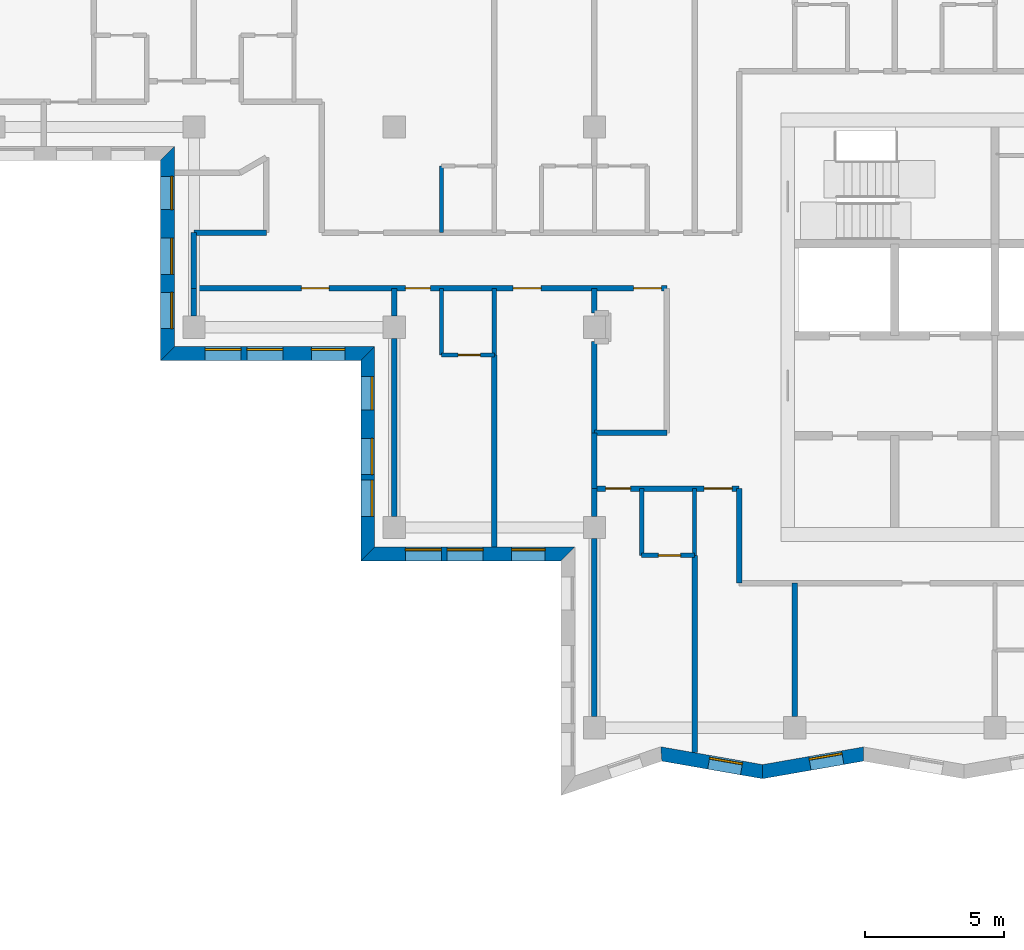
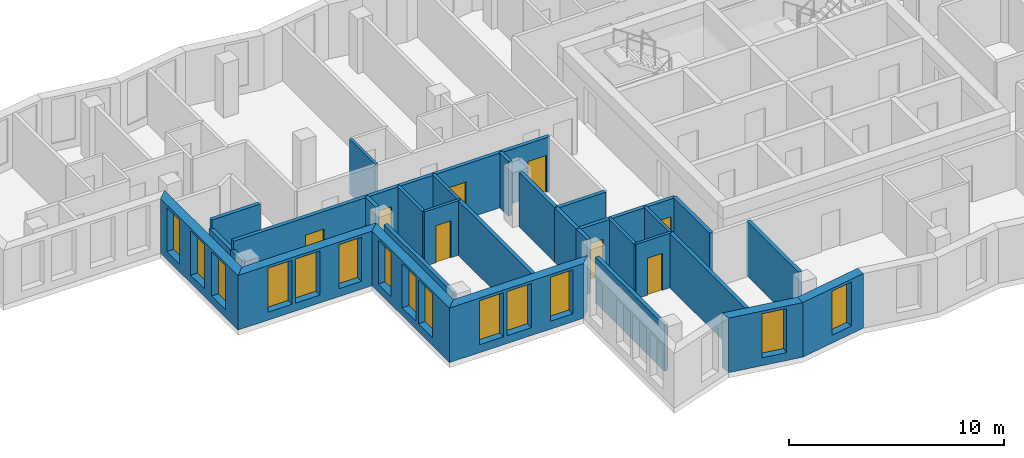
# One storey, part 2 of 12: 30 walls, 14 windows, 8 doors, 22 openings.
"""IFC4 building model written with IfcOpenShell, lengths in metres."""

from ifc_helpers import new_model, si_unit, direction, frame, frame_2d, origin, place, context, subcontext, project, spatial, polyline, rectangle, outline, extrude, material, layer, layer_set, type_object, element, fill, save


model = new_model("IFC4")

# Units and contexts
model_context = context("Model", 3, precision=1e-05, world=origin(), true_north=direction((0.0, 1.0)))
body_context = subcontext(model_context, "Body", "Model", "MODEL_VIEW")
ifc_project = project(units=[si_unit("LENGTHUNIT", "METRE"), si_unit("AREAUNIT", "SQUARE_METRE"), si_unit("VOLUMEUNIT", "CUBIC_METRE"), si_unit("PLANEANGLEUNIT", "RADIAN"), si_unit("MASSUNIT", "GRAM", prefix="KILO")], contexts=[model_context])

# Site, building, storey
site_placement = place(None, origin())
site = spatial("IfcSite", under=ifc_project, at=site_placement, CompositionType="ELEMENT")
building_placement = place(site_placement, origin())
building = spatial("IfcBuilding", under=site, at=building_placement, Name="Windrow Commons", CompositionType="ELEMENT")
storey_placement = place(building_placement, frame((0.0, 0.0, 227.0)))
storey = spatial("IfcBuildingStorey", under=building, at=storey_placement, Name="L62", CompositionType="ELEMENT", Elevation=227.0)

# Wall, openings, windows
ifc_material_1 = material(Name="Brick masonry, red clay brick", Category="masonry")
ifc_layer_1 = layer(ifc_material_1, 0.5)
ifc_layer_set_1 = layer_set([ifc_layer_1], Name="Brick facade wall 500")
wall_type_1 = type_object("IfcWallType", Name="Brick facade wall 500", PredefinedType="SOLIDWALL", material=ifc_layer_set_1)
wall_1_placement = place(storey_placement, frame((35.05, 63.85, 0.0), z_axis=(0.0, 0.0, 1.0), x_axis=(0.0, -1.0, 0.0)))
wall_1 = element("IfcWall", 1, at=wall_1_placement, inside=storey, type_object=wall_type_1, Name="Brick facade wall L62 33", PredefinedType="SOLIDWALL", context=body_context, shape_type="SweptSolid", body=[
    extrude(outline(polyline([(0.25, -0.25), (7.45, -0.25), (6.95, 0.25), (-0.25, 0.25), (0.25, -0.25)])), origin(), (0.0, 0.0, 1.0), 3.1),
])
opening_1_placement = place(wall_1_placement, frame((3.05, 0.0, 0.45)))
opening_1 = element("IfcOpeningElement", 2, at=opening_1_placement, cuts=wall_1, Name="Opening W1Q", PredefinedType="OPENING", context=body_context, shape_type="SweptSolid", body=[
    extrude(rectangle(XDim=1.3, YDim=2.5, at=frame_2d((0.65, 1.25))), frame((0.0, 0.26, 0.0), z_axis=(0.0, -1.0, 0.0), x_axis=(1.0, 0.0, 0.0)), (0.0, 0.0, 1.0), 0.52),
])
opening_2_placement = place(wall_1_placement, frame((5.0, 0.0, 0.45)))
opening_2 = element("IfcOpeningElement", 3, at=opening_2_placement, cuts=wall_1, Name="Opening W1Q", PredefinedType="OPENING", context=body_context, shape_type="SweptSolid", body=[
    extrude(rectangle(XDim=1.3, YDim=2.5, at=frame_2d((0.65, 1.25))), frame((0.0, 0.26, 0.0), z_axis=(0.0, -1.0, 0.0), x_axis=(1.0, 0.0, 0.0)), (0.0, 0.0, 1.0), 0.52),
])
opening_3_placement = place(wall_1_placement, frame((0.825, 0.0, 0.45)))
opening_3 = element("IfcOpeningElement", 4, at=opening_3_placement, cuts=wall_1, Name="Opening W7E", PredefinedType="OPENING", context=body_context, shape_type="SweptSolid", body=[
    extrude(rectangle(XDim=1.2, YDim=2.5, at=frame_2d((0.6, 1.25))), frame((0.0, 0.26, 0.0), z_axis=(0.0, -1.0, 0.0), x_axis=(1.0, 0.0, 0.0)), (0.0, 0.0, 1.0), 0.52),
])
ifc_material_2 = material(Name="Clear float glass in anodised aluminium frame", Category="aluminium")
window_type_1 = type_object("IfcWindowType", Name="Window W1Q pair 1300x2500", PartitioningType="SINGLE_PANEL", PredefinedType="WINDOW", material=ifc_material_2)
window_1_placement = place(opening_1_placement, origin())
window_1 = element("IfcWindow", 5, at=window_1_placement, inside=storey, type_object=window_type_1, Name="Window L62 33.1A", OverallHeight=2.5, OverallWidth=1.3, PartitioningType="SINGLE_PANEL", PredefinedType="WINDOW", context=body_context, shape_type="SweptSolid", body=[
    extrude(rectangle(XDim=1.3, YDim=2.5, at=frame_2d((0.65, 1.25))), frame((0.0, 0.18, 0.0), z_axis=(0.0, -1.0, 0.0), x_axis=(1.0, 0.0, 0.0)), (0.0, 0.0, 1.0), 0.06),
])
fill(opening_1, window_1)
window_2_placement = place(opening_2_placement, origin())
window_2 = element("IfcWindow", 6, at=window_2_placement, inside=storey, type_object=window_type_1, Name="Window L62 33.1B", OverallHeight=2.5, OverallWidth=1.3, PartitioningType="SINGLE_PANEL", PredefinedType="WINDOW", context=body_context, shape_type="SweptSolid", body=[
    extrude(rectangle(XDim=1.3, YDim=2.5, at=frame_2d((0.65, 1.25))), frame((0.0, 0.18, 0.0), z_axis=(0.0, -1.0, 0.0), x_axis=(1.0, 0.0, 0.0)), (0.0, 0.0, 1.0), 0.06),
])
fill(opening_2, window_2)
ifc_material_3 = material(Name="Clear float glass in anodised aluminium frame", Category="aluminium")
window_type_2 = type_object("IfcWindowType", Name="Window W7 notch 1200x2500", PartitioningType="SINGLE_PANEL", PredefinedType="WINDOW", material=ifc_material_3)
window_3_placement = place(opening_3_placement, origin())
window_3 = element("IfcWindow", 7, at=window_3_placement, inside=storey, type_object=window_type_2, Name="Window L62 33.2", OverallHeight=2.5, OverallWidth=1.2, PartitioningType="SINGLE_PANEL", PredefinedType="WINDOW", context=body_context, shape_type="SweptSolid", body=[
    extrude(rectangle(XDim=1.2, YDim=2.5, at=frame_2d((0.6, 1.25))), frame((0.0, 0.18, 0.0), z_axis=(0.0, -1.0, 0.0), x_axis=(1.0, 0.0, 0.0)), (0.0, 0.0, 1.0), 0.06),
])
fill(opening_3, window_3)

wall_2_placement = place(storey_placement, frame((35.05, 56.65, 0.0), z_axis=(0.0, 0.0, 1.0), x_axis=(1.0, 0.0, 0.0)))
wall_2 = element("IfcWall", 8, at=wall_2_placement, inside=storey, type_object=wall_type_1, Name="Brick facade wall L62 34", PredefinedType="SOLIDWALL", context=body_context, shape_type="SweptSolid", body=[
    extrude(outline(polyline([(-0.25, -0.25), (6.95, -0.25), (7.45, 0.25), (0.25, 0.25), (-0.25, -0.25)])), origin(), (0.0, 0.0, 1.0), 3.1),
])
opening_4_placement = place(wall_2_placement, frame((1.35, 0.0, 0.45)))
opening_4 = element("IfcOpeningElement", 9, at=opening_4_placement, cuts=wall_2, Name="Opening W1Q", PredefinedType="OPENING", context=body_context, shape_type="SweptSolid", body=[
    extrude(rectangle(XDim=1.3, YDim=2.5, at=frame_2d((0.65, 1.25))), frame((0.0, 0.26, 0.0), z_axis=(0.0, -1.0, 0.0), x_axis=(1.0, 0.0, 0.0)), (0.0, 0.0, 1.0), 0.52),
])
opening_5_placement = place(wall_2_placement, frame((2.85, 0.0, 0.45)))
opening_5 = element("IfcOpeningElement", 10, at=opening_5_placement, cuts=wall_2, Name="Opening W1Q", PredefinedType="OPENING", context=body_context, shape_type="SweptSolid", body=[
    extrude(rectangle(XDim=1.3, YDim=2.5, at=frame_2d((0.65, 1.25))), frame((0.0, 0.26, 0.0), z_axis=(0.0, -1.0, 0.0), x_axis=(1.0, 0.0, 0.0)), (0.0, 0.0, 1.0), 0.52),
])
opening_6_placement = place(wall_2_placement, frame((5.175, 0.0, 0.45)))
opening_6 = element("IfcOpeningElement", 11, at=opening_6_placement, cuts=wall_2, Name="Opening W7E", PredefinedType="OPENING", context=body_context, shape_type="SweptSolid", body=[
    extrude(rectangle(XDim=1.2, YDim=2.5, at=frame_2d((0.6, 1.25))), frame((0.0, 0.26, 0.0), z_axis=(0.0, -1.0, 0.0), x_axis=(1.0, 0.0, 0.0)), (0.0, 0.0, 1.0), 0.52),
])
window_4_placement = place(opening_4_placement, origin())
window_4 = element("IfcWindow", 12, at=window_4_placement, inside=storey, type_object=window_type_1, Name="Window L62 34.1A", OverallHeight=2.5, OverallWidth=1.3, PartitioningType="SINGLE_PANEL", PredefinedType="WINDOW", context=body_context, shape_type="SweptSolid", body=[
    extrude(rectangle(XDim=1.3, YDim=2.5, at=frame_2d((0.65, 1.25))), frame((0.0, 0.18, 0.0), z_axis=(0.0, -1.0, 0.0), x_axis=(1.0, 0.0, 0.0)), (0.0, 0.0, 1.0), 0.06),
])
fill(opening_4, window_4)
window_5_placement = place(opening_5_placement, origin())
window_5 = element("IfcWindow", 13, at=window_5_placement, inside=storey, type_object=window_type_1, Name="Window L62 34.1B", OverallHeight=2.5, OverallWidth=1.3, PartitioningType="SINGLE_PANEL", PredefinedType="WINDOW", context=body_context, shape_type="SweptSolid", body=[
    extrude(rectangle(XDim=1.3, YDim=2.5, at=frame_2d((0.65, 1.25))), frame((0.0, 0.18, 0.0), z_axis=(0.0, -1.0, 0.0), x_axis=(1.0, 0.0, 0.0)), (0.0, 0.0, 1.0), 0.06),
])
fill(opening_5, window_5)
window_6_placement = place(opening_6_placement, origin())
window_6 = element("IfcWindow", 14, at=window_6_placement, inside=storey, type_object=window_type_2, Name="Window L62 34.2", OverallHeight=2.5, OverallWidth=1.2, PartitioningType="SINGLE_PANEL", PredefinedType="WINDOW", context=body_context, shape_type="SweptSolid", body=[
    extrude(rectangle(XDim=1.2, YDim=2.5, at=frame_2d((0.6, 1.25))), frame((0.0, 0.18, 0.0), z_axis=(0.0, -1.0, 0.0), x_axis=(1.0, 0.0, 0.0)), (0.0, 0.0, 1.0), 0.06),
])
fill(opening_6, window_6)

wall_3_placement = place(storey_placement, frame((42.25, 56.65, 0.0), z_axis=(0.0, 0.0, 1.0), x_axis=(0.0, -1.0, 0.0)))
wall_3 = element("IfcWall", 15, at=wall_3_placement, inside=storey, type_object=wall_type_1, Name="Brick facade wall L62 35", PredefinedType="SOLIDWALL", context=body_context, shape_type="SweptSolid", body=[
    extrude(outline(polyline([(0.25, -0.25), (7.45, -0.25), (6.95, 0.25), (-0.25, 0.25), (0.25, -0.25)])), origin(), (0.0, 0.0, 1.0), 3.1),
])
opening_7_placement = place(wall_3_placement, frame((3.05, 0.0, 0.45)))
opening_7 = element("IfcOpeningElement", 16, at=opening_7_placement, cuts=wall_3, Name="Opening W1Q", PredefinedType="OPENING", context=body_context, shape_type="SweptSolid", body=[
    extrude(rectangle(XDim=1.3, YDim=2.5, at=frame_2d((0.65, 1.25))), frame((0.0, 0.26, 0.0), z_axis=(0.0, -1.0, 0.0), x_axis=(1.0, 0.0, 0.0)), (0.0, 0.0, 1.0), 0.52),
])
opening_8_placement = place(wall_3_placement, frame((4.55, 0.0, 0.45)))
opening_8 = element("IfcOpeningElement", 17, at=opening_8_placement, cuts=wall_3, Name="Opening W1Q", PredefinedType="OPENING", context=body_context, shape_type="SweptSolid", body=[
    extrude(rectangle(XDim=1.3, YDim=2.5, at=frame_2d((0.65, 1.25))), frame((0.0, 0.26, 0.0), z_axis=(0.0, -1.0, 0.0), x_axis=(1.0, 0.0, 0.0)), (0.0, 0.0, 1.0), 0.52),
])
opening_9_placement = place(wall_3_placement, frame((0.825, 0.0, 0.45)))
opening_9 = element("IfcOpeningElement", 18, at=opening_9_placement, cuts=wall_3, Name="Opening W7E", PredefinedType="OPENING", context=body_context, shape_type="SweptSolid", body=[
    extrude(rectangle(XDim=1.2, YDim=2.5, at=frame_2d((0.6, 1.25))), frame((0.0, 0.26, 0.0), z_axis=(0.0, -1.0, 0.0), x_axis=(1.0, 0.0, 0.0)), (0.0, 0.0, 1.0), 0.52),
])
window_7_placement = place(opening_7_placement, origin())
window_7 = element("IfcWindow", 19, at=window_7_placement, inside=storey, type_object=window_type_1, Name="Window L62 35.1A", OverallHeight=2.5, OverallWidth=1.3, PartitioningType="SINGLE_PANEL", PredefinedType="WINDOW", context=body_context, shape_type="SweptSolid", body=[
    extrude(rectangle(XDim=1.3, YDim=2.5, at=frame_2d((0.65, 1.25))), frame((0.0, 0.18, 0.0), z_axis=(0.0, -1.0, 0.0), x_axis=(1.0, 0.0, 0.0)), (0.0, 0.0, 1.0), 0.06),
])
fill(opening_7, window_7)
window_8_placement = place(opening_8_placement, origin())
window_8 = element("IfcWindow", 20, at=window_8_placement, inside=storey, type_object=window_type_1, Name="Window L62 35.1B", OverallHeight=2.5, OverallWidth=1.3, PartitioningType="SINGLE_PANEL", PredefinedType="WINDOW", context=body_context, shape_type="SweptSolid", body=[
    extrude(rectangle(XDim=1.3, YDim=2.5, at=frame_2d((0.65, 1.25))), frame((0.0, 0.18, 0.0), z_axis=(0.0, -1.0, 0.0), x_axis=(1.0, 0.0, 0.0)), (0.0, 0.0, 1.0), 0.06),
])
fill(opening_8, window_8)
window_9_placement = place(opening_9_placement, origin())
window_9 = element("IfcWindow", 21, at=window_9_placement, inside=storey, type_object=window_type_2, Name="Window L62 35.2", OverallHeight=2.5, OverallWidth=1.2, PartitioningType="SINGLE_PANEL", PredefinedType="WINDOW", context=body_context, shape_type="SweptSolid", body=[
    extrude(rectangle(XDim=1.2, YDim=2.5, at=frame_2d((0.6, 1.25))), frame((0.0, 0.18, 0.0), z_axis=(0.0, -1.0, 0.0), x_axis=(1.0, 0.0, 0.0)), (0.0, 0.0, 1.0), 0.06),
])
fill(opening_9, window_9)

wall_4_placement = place(storey_placement, frame((42.25, 49.45, 0.0), z_axis=(0.0, 0.0, 1.0), x_axis=(1.0, 0.0, 0.0)))
wall_4 = element("IfcWall", 22, at=wall_4_placement, inside=storey, type_object=wall_type_1, Name="Brick facade wall L62 36", PredefinedType="SOLIDWALL", context=body_context, shape_type="SweptSolid", body=[
    extrude(outline(polyline([(-0.25, -0.25), (6.95, -0.25), (7.45, 0.25), (0.25, 0.25), (-0.25, -0.25)])), origin(), (0.0, 0.0, 1.0), 3.1),
])
opening_10_placement = place(wall_4_placement, frame((1.35, 0.0, 0.45)))
opening_10 = element("IfcOpeningElement", 23, at=opening_10_placement, cuts=wall_4, Name="Opening W1Q", PredefinedType="OPENING", context=body_context, shape_type="SweptSolid", body=[
    extrude(rectangle(XDim=1.3, YDim=2.5, at=frame_2d((0.65, 1.25))), frame((0.0, 0.26, 0.0), z_axis=(0.0, -1.0, 0.0), x_axis=(1.0, 0.0, 0.0)), (0.0, 0.0, 1.0), 0.52),
])
opening_11_placement = place(wall_4_placement, frame((2.85, 0.0, 0.45)))
opening_11 = element("IfcOpeningElement", 24, at=opening_11_placement, cuts=wall_4, Name="Opening W1Q", PredefinedType="OPENING", context=body_context, shape_type="SweptSolid", body=[
    extrude(rectangle(XDim=1.3, YDim=2.5, at=frame_2d((0.65, 1.25))), frame((0.0, 0.26, 0.0), z_axis=(0.0, -1.0, 0.0), x_axis=(1.0, 0.0, 0.0)), (0.0, 0.0, 1.0), 0.52),
])
opening_12_placement = place(wall_4_placement, frame((5.175, 0.0, 0.45)))
opening_12 = element("IfcOpeningElement", 25, at=opening_12_placement, cuts=wall_4, Name="Opening W7E", PredefinedType="OPENING", context=body_context, shape_type="SweptSolid", body=[
    extrude(rectangle(XDim=1.2, YDim=2.5, at=frame_2d((0.6, 1.25))), frame((0.0, 0.26, 0.0), z_axis=(0.0, -1.0, 0.0), x_axis=(1.0, 0.0, 0.0)), (0.0, 0.0, 1.0), 0.52),
])
window_10_placement = place(opening_10_placement, origin())
window_10 = element("IfcWindow", 26, at=window_10_placement, inside=storey, type_object=window_type_1, Name="Window L62 36.1A", OverallHeight=2.5, OverallWidth=1.3, PartitioningType="SINGLE_PANEL", PredefinedType="WINDOW", context=body_context, shape_type="SweptSolid", body=[
    extrude(rectangle(XDim=1.3, YDim=2.5, at=frame_2d((0.65, 1.25))), frame((0.0, 0.18, 0.0), z_axis=(0.0, -1.0, 0.0), x_axis=(1.0, 0.0, 0.0)), (0.0, 0.0, 1.0), 0.06),
])
fill(opening_10, window_10)
window_11_placement = place(opening_11_placement, origin())
window_11 = element("IfcWindow", 27, at=window_11_placement, inside=storey, type_object=window_type_1, Name="Window L62 36.1B", OverallHeight=2.5, OverallWidth=1.3, PartitioningType="SINGLE_PANEL", PredefinedType="WINDOW", context=body_context, shape_type="SweptSolid", body=[
    extrude(rectangle(XDim=1.3, YDim=2.5, at=frame_2d((0.65, 1.25))), frame((0.0, 0.18, 0.0), z_axis=(0.0, -1.0, 0.0), x_axis=(1.0, 0.0, 0.0)), (0.0, 0.0, 1.0), 0.06),
])
fill(opening_11, window_11)
window_12_placement = place(opening_12_placement, origin())
window_12 = element("IfcWindow", 28, at=window_12_placement, inside=storey, type_object=window_type_2, Name="Window L62 36.2", OverallHeight=2.5, OverallWidth=1.2, PartitioningType="SINGLE_PANEL", PredefinedType="WINDOW", context=body_context, shape_type="SweptSolid", body=[
    extrude(rectangle(XDim=1.2, YDim=2.5, at=frame_2d((0.6, 1.25))), frame((0.0, 0.18, 0.0), z_axis=(0.0, -1.0, 0.0), x_axis=(1.0, 0.0, 0.0)), (0.0, 0.0, 1.0), 0.06),
])
fill(opening_12, window_12)

# Wall, opening, window
wall_5_placement = place(storey_placement, frame((52.8036, 42.2573, 0.0), z_axis=(0.0, 0.0, 1.0), x_axis=(0.9850822975, -0.1720838957, 0.0)))
wall_5 = element("IfcWall", 29, at=wall_5_placement, inside=storey, type_object=wall_type_1, Name="Brick facade wall L62 39", PredefinedType="SOLIDWALL", context=body_context, shape_type="SweptSolid", body=[
    extrude(outline(polyline([(0.064, -0.25), (3.7424, -0.25), (3.6551, 0.25), (-0.064, 0.25), (0.064, -0.25)])), origin(), (0.0, 0.0, 1.0), 3.1),
])
opening_13_placement = place(wall_5_placement, frame((1.7348, 0.0, 0.45)))
opening_13 = element("IfcOpeningElement", 30, at=opening_13_placement, cuts=wall_5, Name="Opening W7E", PredefinedType="OPENING", context=body_context, shape_type="SweptSolid", body=[
    extrude(rectangle(XDim=1.2, YDim=2.5, at=frame_2d((0.6, 1.25))), frame((0.0, 0.26, 0.0), z_axis=(0.0, -1.0, 0.0), x_axis=(1.0, 0.0, 0.0)), (0.0, 0.0, 1.0), 0.52),
])
window_13_placement = place(opening_13_placement, origin())
window_13 = element("IfcWindow", 31, at=window_13_placement, inside=storey, type_object=window_type_2, Name="Window L62 39.1", OverallHeight=2.5, OverallWidth=1.2, PartitioningType="SINGLE_PANEL", PredefinedType="WINDOW", context=body_context, shape_type="SweptSolid", body=[
    extrude(rectangle(XDim=1.2, YDim=2.5, at=frame_2d((0.6, 1.25))), frame((0.0, 0.18, 0.0), z_axis=(0.0, -1.0, 0.0), x_axis=(1.0, 0.0, 0.0)), (0.0, 0.0, 1.0), 0.06),
])
fill(opening_13, window_13)

wall_6_placement = place(storey_placement, frame((56.4472, 41.6208, 0.0), z_axis=(0.0, 0.0, 1.0), x_axis=(0.9850825833, 0.1720822594, 0.0)))
wall_6 = element("IfcWall", 32, at=wall_6_placement, inside=storey, type_object=wall_type_1, Name="Brick facade wall L62 40", PredefinedType="SOLIDWALL", context=body_context, shape_type="SweptSolid", body=[
    extrude(outline(polyline([(-0.0437, -0.25), (3.6348, -0.25), (3.7222, 0.25), (0.0437, 0.25), (-0.0437, -0.25)])), origin(), (0.0, 0.0, 1.0), 3.1),
])
opening_14_placement = place(wall_6_placement, frame((1.7244, 0.0, 0.45)))
opening_14 = element("IfcOpeningElement", 33, at=opening_14_placement, cuts=wall_6, Name="Opening W7E", PredefinedType="OPENING", context=body_context, shape_type="SweptSolid", body=[
    extrude(rectangle(XDim=1.2, YDim=2.5, at=frame_2d((0.6, 1.25))), frame((0.0, 0.26, 0.0), z_axis=(0.0, -1.0, 0.0), x_axis=(1.0, 0.0, 0.0)), (0.0, 0.0, 1.0), 0.52),
])
window_14_placement = place(opening_14_placement, origin())
window_14 = element("IfcWindow", 34, at=window_14_placement, inside=storey, type_object=window_type_2, Name="Window L62 40.1", OverallHeight=2.5, OverallWidth=1.2, PartitioningType="SINGLE_PANEL", PredefinedType="WINDOW", context=body_context, shape_type="SweptSolid", body=[
    extrude(rectangle(XDim=1.2, YDim=2.5, at=frame_2d((0.6, 1.25))), frame((0.0, 0.18, 0.0), z_axis=(0.0, -1.0, 0.0), x_axis=(1.0, 0.0, 0.0)), (0.0, 0.0, 1.0), 0.06),
])
fill(opening_14, window_14)

# Wall, openings, doors
ifc_material_4 = material(Name="Blockwork partition", Category="masonry")
ifc_layer_2 = layer(ifc_material_4, 0.2)
ifc_layer_set_2 = layer_set([ifc_layer_2], Name="IW-CORRIDOR-200")
wall_type_2 = type_object("IfcWallType", Name="IW-CORRIDOR-200", PredefinedType="PARTITIONING", material=ifc_layer_set_2)
wall_7_placement = place(storey_placement, frame((36.0, 59.0, 0.0), z_axis=(0.0, 0.0, 1.0), x_axis=(1.0, 0.0, 0.0)))
wall_7 = element("IfcWall", 35, at=wall_7_placement, inside=storey, type_object=wall_type_2, Name="W-L62-W002", PredefinedType="PARTITIONING", context=body_context, shape_type="SweptSolid", body=[
    extrude(rectangle(XDim=17.0, YDim=0.2, at=frame_2d((8.5, 0.0))), origin(), (0.0, 0.0, 1.0), 3.1),
])
opening_15_placement = place(wall_7_placement, frame((3.8625, 0.0, 0.0)))
opening_15 = element("IfcOpeningElement", 36, at=opening_15_placement, cuts=wall_7, Name="Opening D310F", PredefinedType="OPENING", context=body_context, shape_type="SweptSolid", body=[
    extrude(rectangle(XDim=1.0, YDim=2.1, at=frame_2d((0.5, 1.05))), frame((0.0, 0.11, 0.0), z_axis=(0.0, -1.0, 0.0), x_axis=(1.0, 0.0, 0.0)), (0.0, 0.0, 1.0), 0.22),
])
opening_16_placement = place(wall_7_placement, frame((7.6, 0.0, 0.0)))
opening_16 = element("IfcOpeningElement", 37, at=opening_16_placement, cuts=wall_7, Name="Opening D109S", PredefinedType="OPENING", context=body_context, shape_type="SweptSolid", body=[
    extrude(rectangle(XDim=0.9, YDim=2.1, at=frame_2d((0.45, 1.05))), frame((0.0, 0.11, 0.0), z_axis=(0.0, -1.0, 0.0), x_axis=(1.0, 0.0, 0.0)), (0.0, 0.0, 1.0), 0.22),
])
opening_17_placement = place(wall_7_placement, frame((11.48, 0.0, 0.0)))
opening_17 = element("IfcOpeningElement", 38, at=opening_17_placement, cuts=wall_7, Name="Opening D310F", PredefinedType="OPENING", context=body_context, shape_type="SweptSolid", body=[
    extrude(rectangle(XDim=1.0, YDim=2.1, at=frame_2d((0.5, 1.05))), frame((0.0, 0.11, 0.0), z_axis=(0.0, -1.0, 0.0), x_axis=(1.0, 0.0, 0.0)), (0.0, 0.0, 1.0), 0.22),
])
opening_18_placement = place(wall_7_placement, frame((15.805, 0.0, 0.0)))
opening_18 = element("IfcOpeningElement", 39, at=opening_18_placement, cuts=wall_7, Name="Opening D410F", PredefinedType="OPENING", context=body_context, shape_type="SweptSolid", body=[
    extrude(rectangle(XDim=1.0, YDim=2.1, at=frame_2d((0.5, 1.05))), frame((0.0, 0.11, 0.0), z_axis=(0.0, -1.0, 0.0), x_axis=(1.0, 0.0, 0.0)), (0.0, 0.0, 1.0), 0.22),
])
ifc_material_5 = material(Name="Timber door leaf", Category="wood")
door_type_1 = type_object("IfcDoorType", Name="DT-AMENITY-1000", OperationType="SINGLE_SWING_LEFT", PredefinedType="DOOR", material=ifc_material_5)
door_1_placement = place(opening_15_placement, origin())
door_1 = element("IfcDoor", 40, at=door_1_placement, inside=storey, type_object=door_type_1, Name="D-L62-D001", OperationType="SINGLE_SWING_LEFT", OverallHeight=2.1, OverallWidth=1.0, PredefinedType="DOOR", context=body_context, shape_type="SweptSolid", body=[
    extrude(rectangle(XDim=1.0, YDim=2.1, at=frame_2d((0.5, 1.05))), frame((0.0, 0.025, 0.0), z_axis=(0.0, -1.0, 0.0), x_axis=(1.0, 0.0, 0.0)), (0.0, 0.0, 1.0), 0.05),
])
fill(opening_15, door_1)
door_2_placement = place(opening_17_placement, origin())
door_2 = element("IfcDoor", 41, at=door_2_placement, inside=storey, type_object=door_type_1, Name="D-L62-D004", OperationType="SINGLE_SWING_RIGHT", OverallHeight=2.1, OverallWidth=1.0, PredefinedType="DOOR", context=body_context, shape_type="SweptSolid", body=[
    extrude(rectangle(XDim=1.0, YDim=2.1, at=frame_2d((0.5, 1.05))), frame((0.0, 0.025, 0.0), z_axis=(0.0, -1.0, 0.0), x_axis=(1.0, 0.0, 0.0)), (0.0, 0.0, 1.0), 0.05),
])
fill(opening_17, door_2)
ifc_material_6 = material(Name="Timber door leaf", Category="wood")
door_type_2 = type_object("IfcDoorType", Name="DT-BEDROOM-900", OperationType="SINGLE_SWING_LEFT", PredefinedType="DOOR", material=ifc_material_6)
door_3_placement = place(opening_16_placement, origin())
door_3 = element("IfcDoor", 42, at=door_3_placement, inside=storey, type_object=door_type_2, Name="D-L62-D002", OperationType="SINGLE_SWING_LEFT", OverallHeight=2.1, OverallWidth=0.9, PredefinedType="DOOR", context=body_context, shape_type="SweptSolid", body=[
    extrude(rectangle(XDim=0.9, YDim=2.1, at=frame_2d((0.45, 1.05))), frame((0.0, 0.025, 0.0), z_axis=(0.0, -1.0, 0.0), x_axis=(1.0, 0.0, 0.0)), (0.0, 0.0, 1.0), 0.05),
])
fill(opening_16, door_3)
ifc_material_7 = material(Name="Timber door leaf", Category="wood")
door_type_3 = type_object("IfcDoorType", Name="DT-SERVICE-1000", OperationType="SINGLE_SWING_LEFT", PredefinedType="DOOR", material=ifc_material_7)
door_4_placement = place(opening_18_placement, origin())
door_4 = element("IfcDoor", 43, at=door_4_placement, inside=storey, type_object=door_type_3, Name="D-L62-D005", OperationType="SINGLE_SWING_LEFT", OverallHeight=2.1, OverallWidth=1.0, PredefinedType="DOOR", context=body_context, shape_type="SweptSolid", body=[
    extrude(rectangle(XDim=1.0, YDim=2.1, at=frame_2d((0.5, 1.05))), frame((0.0, 0.025, 0.0), z_axis=(0.0, -1.0, 0.0), x_axis=(1.0, 0.0, 0.0)), (0.0, 0.0, 1.0), 0.05),
])
fill(opening_18, door_4)

wall_8_placement = place(storey_placement, frame((50.4, 51.8, 0.0), z_axis=(0.0, 0.0, 1.0), x_axis=(1.0, 0.0, 0.0)))
wall_8 = element("IfcWall", 44, at=wall_8_placement, inside=storey, type_object=wall_type_2, Name="W-L62-W026", PredefinedType="PARTITIONING", context=body_context, shape_type="SweptSolid", body=[
    extrude(rectangle(XDim=5.2, YDim=0.2, at=frame_2d((2.6, 0.0))), origin(), (0.0, 0.0, 1.0), 3.1),
])
opening_19_placement = place(wall_8_placement, frame((0.4, 0.0, 0.0)))
opening_19 = element("IfcOpeningElement", 45, at=opening_19_placement, cuts=wall_8, Name="Opening D109S", PredefinedType="OPENING", context=body_context, shape_type="SweptSolid", body=[
    extrude(rectangle(XDim=0.9, YDim=2.1, at=frame_2d((0.45, 1.05))), frame((0.0, 0.11, 0.0), z_axis=(0.0, -1.0, 0.0), x_axis=(1.0, 0.0, 0.0)), (0.0, 0.0, 1.0), 0.22),
])
opening_20_placement = place(wall_8_placement, frame((3.9455, 0.0, 0.0)))
opening_20 = element("IfcOpeningElement", 46, at=opening_20_placement, cuts=wall_8, Name="Opening D310F", PredefinedType="OPENING", context=body_context, shape_type="SweptSolid", body=[
    extrude(rectangle(XDim=1.0, YDim=2.1, at=frame_2d((0.5, 1.05))), frame((0.0, 0.11, 0.0), z_axis=(0.0, -1.0, 0.0), x_axis=(1.0, 0.0, 0.0)), (0.0, 0.0, 1.0), 0.22),
])
door_5_placement = place(opening_20_placement, origin())
door_5 = element("IfcDoor", 47, at=door_5_placement, inside=storey, type_object=door_type_1, Name="D-L62-D009", OperationType="SINGLE_SWING_RIGHT", OverallHeight=2.1, OverallWidth=1.0, PredefinedType="DOOR", context=body_context, shape_type="SweptSolid", body=[
    extrude(rectangle(XDim=1.0, YDim=2.1, at=frame_2d((0.5, 1.05))), frame((0.0, 0.025, 0.0), z_axis=(0.0, -1.0, 0.0), x_axis=(1.0, 0.0, 0.0)), (0.0, 0.0, 1.0), 0.05),
])
fill(opening_20, door_5)
door_6_placement = place(opening_19_placement, origin())
door_6 = element("IfcDoor", 48, at=door_6_placement, inside=storey, type_object=door_type_2, Name="D-L62-D007", OperationType="SINGLE_SWING_LEFT", OverallHeight=2.1, OverallWidth=0.9, PredefinedType="DOOR", context=body_context, shape_type="SweptSolid", body=[
    extrude(rectangle(XDim=0.9, YDim=2.1, at=frame_2d((0.45, 1.05))), frame((0.0, 0.025, 0.0), z_axis=(0.0, -1.0, 0.0), x_axis=(1.0, 0.0, 0.0)), (0.0, 0.0, 1.0), 0.05),
])
fill(opening_19, door_6)

# Walls
wall_9_placement = place(storey_placement, frame((55.6, 48.4, 0.0), z_axis=(0.0, 0.0, 1.0), x_axis=(0.0, 1.0, 0.0)))
element("IfcWall", 49, at=wall_9_placement, inside=storey, type_object=wall_type_2, Name="W-L62-W042", PredefinedType="PARTITIONING", context=body_context, shape_type="SweptSolid", body=[
    extrude(rectangle(XDim=3.4, YDim=0.2, at=frame_2d((1.7, 0.0))), origin(), (0.0, 0.0, 1.0), 3.1),
])
wall_10_placement = place(storey_placement, frame((50.4, 53.8, 0.0), z_axis=(0.0, 0.0, 1.0), x_axis=(1.0, 0.0, 0.0)))
element("IfcWall", 50, at=wall_10_placement, inside=storey, type_object=wall_type_2, Name="W-L62-W057", PredefinedType="PARTITIONING", context=body_context, shape_type="SweptSolid", body=[
    extrude(rectangle(XDim=2.6, YDim=0.2, at=frame_2d((1.3, 0.0))), origin(), (0.0, 0.0, 1.0), 3.1),
])
wall_11_placement = place(storey_placement, frame((36.002, 61.0, 0.0), z_axis=(0.0, 0.0, 1.0), x_axis=(1.0, 0.0, 0.0)))
element("IfcWall", 51, at=wall_11_placement, inside=storey, type_object=wall_type_2, Name="W-L62-W058", PredefinedType="PARTITIONING", context=body_context, shape_type="SweptSolid", body=[
    extrude(rectangle(XDim=2.598, YDim=0.2, at=frame_2d((1.299, 0.0))), origin(), (0.0, 0.0, 1.0), 3.1),
])
wall_12_placement = place(storey_placement, frame((36.0, 59.0, 0.0), z_axis=(0.0, 0.0, 1.0), x_axis=(0.0, 1.0, 0.0)))
element("IfcWall", 52, at=wall_12_placement, inside=storey, type_object=wall_type_2, Name="W-L62-W095", PredefinedType="PARTITIONING", context=body_context, shape_type="SweptSolid", body=[
    extrude(rectangle(XDim=2.0, YDim=0.2, at=frame_2d((1.0, 0.0))), origin(), (0.0, 0.0, 1.0), 2.6),
])
wall_13_placement = place(storey_placement, frame((50.4, 51.8, 0.0), z_axis=(0.0, 0.0, 1.0), x_axis=(0.0, 1.0, 0.0)))
element("IfcWall", 53, at=wall_13_placement, inside=storey, type_object=wall_type_2, Name="W-L62-W096", PredefinedType="PARTITIONING", context=body_context, shape_type="SweptSolid", body=[
    extrude(rectangle(XDim=2.0, YDim=0.2, at=frame_2d((1.0, 0.0))), origin(), (0.0, 0.0, 1.0), 3.1),
])
ifc_material_8 = material(Name="Blockwork partition", Category="masonry")
ifc_layer_3 = layer(ifc_material_8, 0.15)
ifc_layer_set_3 = layer_set([ifc_layer_3], Name="IW-ENSUITE-150")
wall_type_3 = type_object("IfcWallType", Name="IW-ENSUITE-150", PredefinedType="PARTITIONING", material=ifc_layer_set_3)
for number, where, z_axis, x_axis, name in (
    (54, (44.9, 56.6, 0.0), (0.0, 0.0, 1.0), (0.0, 1.0, 0.0), "W-L62-W068"),
    (55, (44.9, 61.0, 0.0), (0.0, 0.0, 1.0), (0.0, 1.0, 0.0), "W-L62-W069"),
    (56, (46.8, 56.6, 0.0), (0.0, 0.0, 1.0), (0.0, 1.0, 0.0), "W-L62-W070"),
    (57, (52.1, 49.4, 0.0), (0.0, 0.0, 1.0), (0.0, 1.0, 0.0), "W-L62-W075"),
    (58, (54.0, 49.4, 0.0), (0.0, 0.0, 1.0), (0.0, 1.0, 0.0), "W-L62-W076"),
):
    element("IfcWall", number, at=place(storey_placement, frame(where, z_axis=z_axis, x_axis=x_axis)), inside=storey, type_object=wall_type_3, Name=name, PredefinedType="PARTITIONING", context=body_context, shape_type="SweptSolid", body=[
        extrude(rectangle(XDim=2.4, YDim=0.15, at=frame_2d((1.2, 0.0))), origin(), (0.0, 0.0, 1.0), 3.1),
    ])

# Wall, opening, door
wall_14_placement = place(storey_placement, frame((44.9, 56.6, 0.0), z_axis=(0.0, 0.0, 1.0), x_axis=(1.0, 0.0, 0.0)))
wall_14 = element("IfcWall", 59, at=wall_14_placement, inside=storey, type_object=wall_type_3, Name="W-L62-W100", PredefinedType="PARTITIONING", context=body_context, shape_type="SweptSolid", body=[
    extrude(rectangle(XDim=1.9, YDim=0.15, at=frame_2d((0.95, 0.0))), origin(), (0.0, 0.0, 1.0), 3.1),
])
opening_21_placement = place(wall_14_placement, frame((0.5979, 0.0, 0.0)))
opening_21 = element("IfcOpeningElement", 60, at=opening_21_placement, cuts=wall_14, Name="Opening D208N", PredefinedType="OPENING", context=body_context, shape_type="SweptSolid", body=[
    extrude(rectangle(XDim=0.8, YDim=2.1, at=frame_2d((0.4, 1.05))), frame((0.0, 0.085, 0.0), z_axis=(0.0, -1.0, 0.0), x_axis=(1.0, 0.0, 0.0)), (0.0, 0.0, 1.0), 0.17),
])
ifc_material_9 = material(Name="Timber door leaf", Category="wood")
door_type_4 = type_object("IfcDoorType", Name="DT-ENSUITE-800", OperationType="SINGLE_SWING_LEFT", PredefinedType="DOOR", material=ifc_material_9)
door_7_placement = place(opening_21_placement, origin())
door_7 = element("IfcDoor", 61, at=door_7_placement, inside=storey, type_object=door_type_4, Name="D-L62-D003", OperationType="SINGLE_SWING_RIGHT", OverallHeight=2.1, OverallWidth=0.8, PredefinedType="DOOR", context=body_context, shape_type="SweptSolid", body=[
    extrude(rectangle(XDim=0.8, YDim=2.1, at=frame_2d((0.4, 1.05))), frame((0.0, 0.025, 0.0), z_axis=(0.0, -1.0, 0.0), x_axis=(1.0, 0.0, 0.0)), (0.0, 0.0, 1.0), 0.05),
])
fill(opening_21, door_7)

wall_15_placement = place(storey_placement, frame((52.1, 49.4, 0.0), z_axis=(0.0, 0.0, 1.0), x_axis=(1.0, 0.0, 0.0)))
wall_15 = element("IfcWall", 62, at=wall_15_placement, inside=storey, type_object=wall_type_3, Name="W-L62-W102", PredefinedType="PARTITIONING", context=body_context, shape_type="SweptSolid", body=[
    extrude(rectangle(XDim=1.9, YDim=0.15, at=frame_2d((0.95, 0.0))), origin(), (0.0, 0.0, 1.0), 3.1),
])
opening_22_placement = place(wall_15_placement, frame((0.5979, 0.0, 0.0)))
opening_22 = element("IfcOpeningElement", 63, at=opening_22_placement, cuts=wall_15, Name="Opening D208N", PredefinedType="OPENING", context=body_context, shape_type="SweptSolid", body=[
    extrude(rectangle(XDim=0.8, YDim=2.1, at=frame_2d((0.4, 1.05))), frame((0.0, 0.085, 0.0), z_axis=(0.0, -1.0, 0.0), x_axis=(1.0, 0.0, 0.0)), (0.0, 0.0, 1.0), 0.17),
])
door_8_placement = place(opening_22_placement, origin())
door_8 = element("IfcDoor", 64, at=door_8_placement, inside=storey, type_object=door_type_4, Name="D-L62-D008", OperationType="SINGLE_SWING_RIGHT", OverallHeight=2.1, OverallWidth=0.8, PredefinedType="DOOR", context=body_context, shape_type="SweptSolid", body=[
    extrude(rectangle(XDim=0.8, YDim=2.1, at=frame_2d((0.4, 1.05))), frame((0.0, 0.025, 0.0), z_axis=(0.0, -1.0, 0.0), x_axis=(1.0, 0.0, 0.0)), (0.0, 0.0, 1.0), 0.05),
])
fill(opening_22, door_8)

# Walls
ifc_material_10 = material(Name="Blockwork partition", Category="masonry")
ifc_layer_4 = layer(ifc_material_10, 0.2)
ifc_layer_set_4 = layer_set([ifc_layer_4], Name="IW-PARTY-200")
wall_type_4 = type_object("IfcWallType", Name="IW-PARTY-200", PredefinedType="PARTITIONING", material=ifc_layer_set_4)
wall_16_placement = place(storey_placement, frame((54.0, 42.3021, 0.0), z_axis=(0.0, 0.0, 1.0), x_axis=(0.0, 1.0, 0.0)))
element("IfcWall", 65, at=wall_16_placement, inside=storey, type_object=wall_type_4, Name="W-L62-W012", PredefinedType="PARTITIONING", context=body_context, shape_type="SweptSolid", body=[
    extrude(rectangle(XDim=7.0979, YDim=0.2, at=frame_2d((3.549, 0.0))), origin(), (0.0, 0.0, 1.0), 3.1),
])
wall_17_placement = place(storey_placement, frame((46.8, 49.7, 0.0), z_axis=(0.0, 0.0, 1.0), x_axis=(0.0, 1.0, 0.0)))
element("IfcWall", 66, at=wall_17_placement, inside=storey, type_object=wall_type_4, Name="W-L62-W016", PredefinedType="PARTITIONING", context=body_context, shape_type="SweptSolid", body=[
    extrude(rectangle(XDim=6.9, YDim=0.2, at=frame_2d((3.45, 0.0))), origin(), (0.0, 0.0, 1.0), 3.1),
])
for number, where, z_axis, x_axis, name in (
    (67, (43.2, 50.8, 0.0), (0.0, 0.0, 1.0), (0.0, 1.0, 0.0), "W-L62-W017"),
    (68, (50.4, 43.6, 0.0), (0.0, 0.0, 1.0), (0.0, 1.0, 0.0), "W-L62-W018"),
):
    element("IfcWall", number, at=place(storey_placement, frame(where, z_axis=z_axis, x_axis=x_axis)), inside=storey, type_object=wall_type_4, Name=name, PredefinedType="PARTITIONING", context=body_context, shape_type="SweptSolid", body=[
        extrude(rectangle(XDim=6.4, YDim=0.2, at=frame_2d((3.2, 0.0))), origin(), (0.0, 0.0, 1.0), 2.6),
    ])
wall_18_placement = place(storey_placement, frame((57.6, 43.6, 0.0), z_axis=(0.0, 0.0, 1.0), x_axis=(0.0, 1.0, 0.0)))
element("IfcWall", 69, at=wall_18_placement, inside=storey, type_object=wall_type_4, Name="W-L62-W033", PredefinedType="PARTITIONING", context=body_context, shape_type="SweptSolid", body=[
    extrude(rectangle(XDim=4.8, YDim=0.2, at=frame_2d((2.4, 0.0))), origin(), (0.0, 0.0, 1.0), 3.1),
])
wall_19_placement = place(storey_placement, frame((50.4, 53.8, 0.0), z_axis=(0.0, 0.0, 1.0), x_axis=(0.0, 1.0, 0.0)))
element("IfcWall", 70, at=wall_19_placement, inside=storey, type_object=wall_type_4, Name="W-L62-W044", PredefinedType="PARTITIONING", context=body_context, shape_type="SweptSolid", body=[
    extrude(rectangle(XDim=3.296, YDim=0.2, at=frame_2d((1.648, 0.0))), origin(), (0.0, 0.0, 1.0), 3.1),
])
wall_20_placement = place(storey_placement, frame((36.0, 58.0, 0.0), z_axis=(0.0, 0.0, 1.0), x_axis=(0.0, 1.0, 0.0)))
element("IfcWall", 71, at=wall_20_placement, inside=storey, type_object=wall_type_4, Name="W-L62-W124", PredefinedType="PARTITIONING", context=body_context, shape_type="SweptSolid", body=[
    extrude(rectangle(XDim=1.0, YDim=0.2, at=frame_2d((0.5, 0.0))), origin(), (0.0, 0.0, 1.0), 2.6),
])
for number, where, z_axis, x_axis, name in (
    (72, (43.2, 58.0, 0.0), (0.0, 0.0, 1.0), (0.0, 1.0, 0.0), "W-L62-W125"),
    (73, (50.4, 50.8, 0.0), (0.0, 0.0, 1.0), (0.0, 1.0, 0.0), "W-L62-W126"),
):
    element("IfcWall", number, at=place(storey_placement, frame(where, z_axis=z_axis, x_axis=x_axis)), inside=storey, type_object=wall_type_4, Name=name, PredefinedType="PARTITIONING", context=body_context, shape_type="SweptSolid", body=[
        extrude(rectangle(XDim=1.0, YDim=0.2, at=frame_2d((0.5, 0.0))), origin(), (0.0, 0.0, 1.0), 3.1),
    ])
wall_21_placement = place(storey_placement, frame((50.4, 58.106, 0.0), z_axis=(0.0, 0.0, 1.0), x_axis=(0.0, 1.0, 0.0)))
element("IfcWall", 74, at=wall_21_placement, inside=storey, type_object=wall_type_4, Name="W-L62-W128", PredefinedType="PARTITIONING", context=body_context, shape_type="SweptSolid", body=[
    extrude(rectangle(XDim=0.894, YDim=0.2, at=frame_2d((0.447, 0.0))), origin(), (0.0, 0.0, 1.0), 3.1),
])

save(model, "model.ifc")
